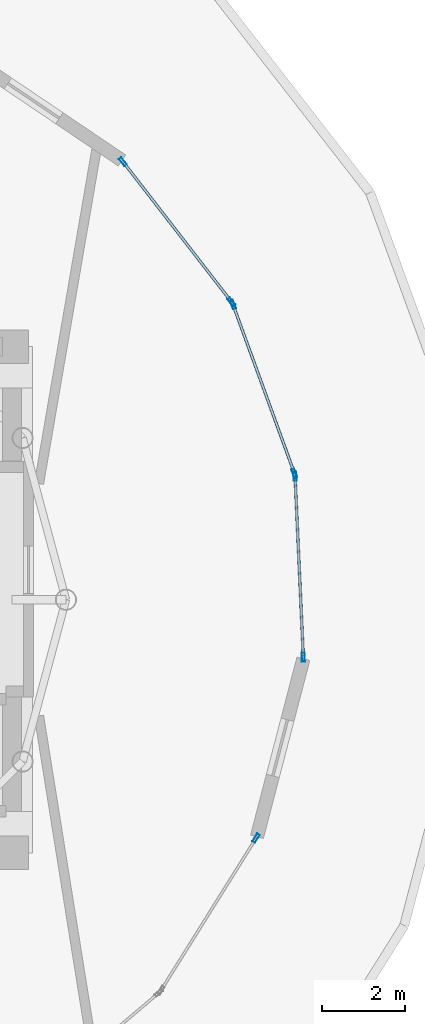
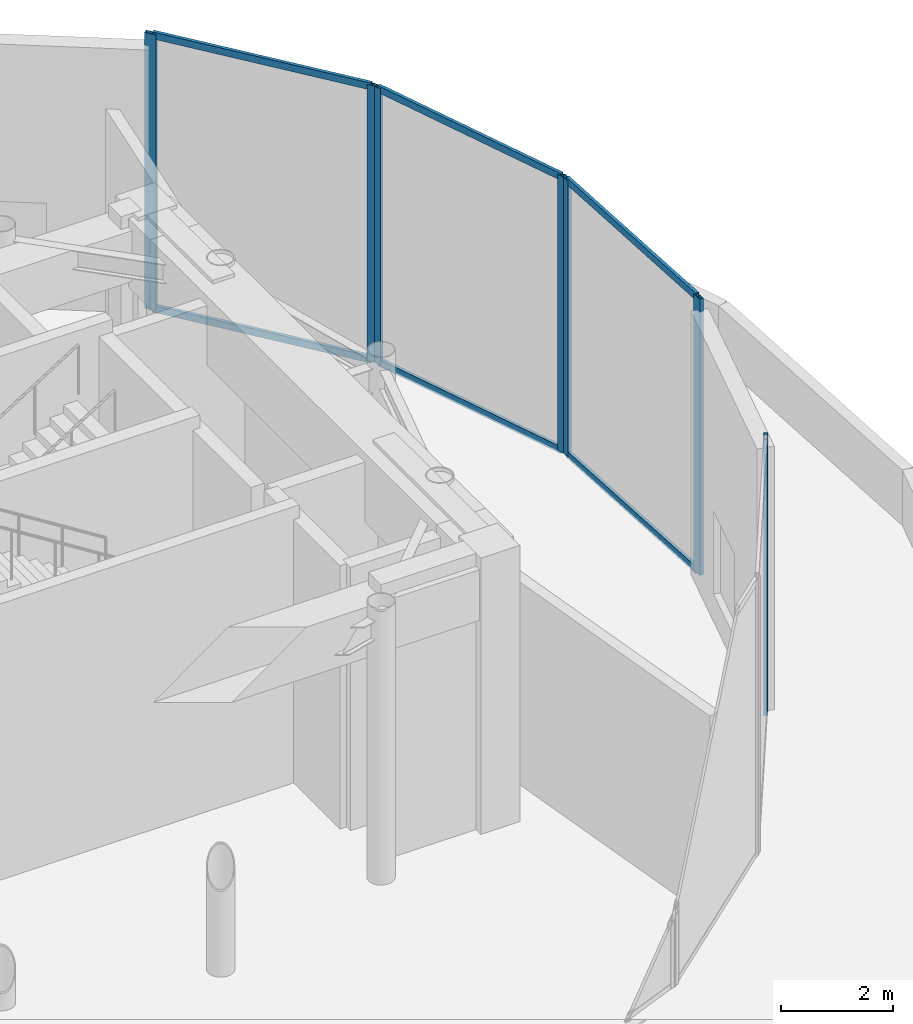
# One storey, part 7 of 12: 13 members, 4 elements without a shape of their own.
"""IFC4 building model written with IfcOpenShell, lengths in metres."""

from ifc_helpers import new_model, si_unit, direction, frame, origin, origin_2d, place, context, subcontext, project, spatial, hollow_rectangle, extrude, source, transform, mapped, material, layer, layer_set, material_profile, profile_set, type_object, element, aggregate, save


model = new_model("IFC4")

# Units and contexts
model_context = context("Model", 3, precision=1e-05, world=origin(), true_north=direction((0.0, 1.0)))
body_context = subcontext(model_context, "Body", "Model", "MODEL_VIEW")
ifc_project = project(units=[si_unit("LENGTHUNIT", "METRE"), si_unit("AREAUNIT", "SQUARE_METRE"), si_unit("VOLUMEUNIT", "CUBIC_METRE"), si_unit("PLANEANGLEUNIT", "RADIAN"), si_unit("MASSUNIT", "GRAM", prefix="KILO")], contexts=[model_context])

# Site, building, storey
site_placement = place(None, origin())
site = spatial("IfcSite", under=ifc_project, at=site_placement, CompositionType="ELEMENT")
building_placement = place(site_placement, origin())
building = spatial("IfcBuilding", under=site, at=building_placement, Name="Solvirekh Grand Hotel", CompositionType="ELEMENT")
storey_placement = place(building_placement, frame((0.0, 0.0, 302.199951171875)))
storey = spatial("IfcBuildingStorey", under=building, at=storey_placement, Name="L78", CompositionType="ELEMENT", Elevation=302.199951171875)

# Curtain wall, member
ifc_material = material(Name="Anodized Bronze Aluminium 6063-T6", Category="aluminium")
ifc_layer = layer(ifc_material, 0.219970703125)
ifc_layer_set = layer_set([ifc_layer], Name="Anodized Bronze Aluminium 6063-T6")
curtain_wall_type = type_object("IfcCurtainWallType", Name="CW_Sys6_CrownFacetedPointCW", PredefinedType="NOTDEFINED", material=ifc_layer_set)
curtain_wall_1_placement = place(storey_placement, origin())
curtain_wall_1 = element("IfcCurtainWall", 1, at=curtain_wall_1_placement, inside=storey, type_object=curtain_wall_type, Name="L78 unitised bronze-glass curtain wall CW-L78-C04", PredefinedType="NOTDEFINED")
ifc_material_profile_1 = material_profile(ifc_material, hollow_rectangle(XDim=0.074951171875, YDim=0.219970703125, WallThickness=0.006103515625, at=origin_2d()), Name="ALU RHS 220X75X6")
ifc_profile_set_1 = profile_set([ifc_material_profile_1], Name="Anodized Bronze Aluminium 6063-T6")
member_type_1 = type_object("IfcMemberType", Name="CWMullion_Sys6", PredefinedType="MULLION", material=ifc_profile_set_1)
shared_shape_1 = source(origin(), body_context, "Body", "SweptSolid", [
    extrude(hollow_rectangle(XDim=0.074951171875, YDim=0.219970703125, WallThickness=0.006103515625, at=origin_2d()), origin(), (0.0, 0.0, 1.0), 6.0),
])
member_1_placement = place(storey_placement, frame((12.385009765625, -5.747802734375, 0.0), z_axis=(0.0, 0.0, 1.0), x_axis=(-0.847934527093, 0.530100969405, 0.0)))
member_1 = element("IfcMember", 2, at=member_1_placement, type_object=member_type_1, Name="U06 mullion 2", PredefinedType="MULLION", context=body_context, shape_type="MappedRepresentation", body=[
    mapped(shared_shape_1, transform((0.0, 0.0, 0.0), x_axis=(1.0, 0.0, 0.0), y_axis=(0.0, 1.0, 0.0), z_axis=(0.0, 0.0, 1.0), scale=1.0)),
])
aggregate(curtain_wall_1, [member_1])

# Curtain wall, members
curtain_wall_2_placement = place(storey_placement, origin())
curtain_wall_2 = element("IfcCurtainWall", 3, at=curtain_wall_2_placement, inside=storey, type_object=curtain_wall_type, Name="L78 unitised bronze-glass curtain wall CW-L78-C06", PredefinedType="NOTDEFINED")
member_2_placement = place(storey_placement, frame((13.523193359375, -1.384521484375, 0.0), z_axis=(0.0, 0.0, 1.0), x_axis=(-0.998953621923, -0.045734683194, 0.0)))
member_2 = element("IfcMember", 4, at=member_2_placement, type_object=member_type_1, Name="U06 mullion 1", PredefinedType="MULLION", context=body_context, shape_type="MappedRepresentation", body=[
    mapped(shared_shape_1, transform((0.0, 0.0, 0.0), x_axis=(1.0, 0.0, 0.0), y_axis=(0.0, 1.0, 0.0), z_axis=(0.0, 0.0, 1.0), scale=1.0)),
])
member_3_placement = place(storey_placement, frame((13.32373046875, 2.974609375, 0.0), z_axis=(0.0, 0.0, 1.0), x_axis=(-0.998953621923, -0.045734683194, 0.0)))
member_3 = element("IfcMember", 5, at=member_3_placement, type_object=member_type_1, Name="U06 mullion 2", PredefinedType="MULLION", context=body_context, shape_type="MappedRepresentation", body=[
    mapped(shared_shape_1, transform((0.0, 0.0, 0.0), x_axis=(1.0, 0.0, 0.0), y_axis=(0.0, 1.0, 0.0), z_axis=(0.0, 0.0, 1.0), scale=1.0)),
])

curtain_wall_3_placement = place(storey_placement, origin())
curtain_wall_3 = element("IfcCurtainWall", 6, at=curtain_wall_3_placement, inside=storey, type_object=curtain_wall_type, Name="L78 unitised bronze-glass curtain wall CW-L78-C07", PredefinedType="NOTDEFINED")
member_4_placement = place(storey_placement, frame((13.30908203125, 3.047119140625, 0.0), z_axis=(0.0, 0.0, 1.0), x_axis=(-0.939654148066, -0.342125827763, 0.0)))
member_4 = element("IfcMember", 7, at=member_4_placement, type_object=member_type_1, Name="U06 mullion 1", PredefinedType="MULLION", context=body_context, shape_type="MappedRepresentation", body=[
    mapped(shared_shape_1, transform((0.0, 0.0, 0.0), x_axis=(1.0, 0.0, 0.0), y_axis=(0.0, 1.0, 0.0), z_axis=(0.0, 0.0, 1.0), scale=1.0)),
])
member_5_placement = place(storey_placement, frame((11.827880859375, 7.11572265625, 0.0), z_axis=(0.0, 0.0, 1.0), x_axis=(-0.939654148066, -0.342125827763, 0.0)))
member_5 = element("IfcMember", 8, at=member_5_placement, type_object=member_type_1, Name="U06 mullion 2", PredefinedType="MULLION", context=body_context, shape_type="MappedRepresentation", body=[
    mapped(shared_shape_1, transform((0.0, 0.0, 0.0), x_axis=(1.0, 0.0, 0.0), y_axis=(0.0, 1.0, 0.0), z_axis=(0.0, 0.0, 1.0), scale=1.0)),
])

curtain_wall_4_placement = place(storey_placement, origin())
curtain_wall_4 = element("IfcCurtainWall", 9, at=curtain_wall_4_placement, inside=storey, type_object=curtain_wall_type, Name="L78 unitised bronze-glass curtain wall CW-L78-C08", PredefinedType="NOTDEFINED")
member_6_placement = place(storey_placement, frame((11.7919921875, 7.1806640625, 0.0), z_axis=(0.0, 0.0, 1.0), x_axis=(-0.790551379762, -0.612395718434, 0.0)))
member_6 = element("IfcMember", 10, at=member_6_placement, type_object=member_type_1, Name="U06 mullion 1", PredefinedType="MULLION", context=body_context, shape_type="MappedRepresentation", body=[
    mapped(shared_shape_1, transform((0.0, 0.0, 0.0), x_axis=(1.0, 0.0, 0.0), y_axis=(0.0, 1.0, 0.0), z_axis=(0.0, 0.0, 1.0), scale=1.0)),
])
member_7_placement = place(storey_placement, frame((9.174072265625, 10.560302734375, 0.0), z_axis=(0.0, 0.0, 1.0), x_axis=(-0.790551379762, -0.612395718434, 0.0)))
member_7 = element("IfcMember", 11, at=member_7_placement, type_object=member_type_1, Name="U06 mullion 2", PredefinedType="MULLION", context=body_context, shape_type="MappedRepresentation", body=[
    mapped(shared_shape_1, transform((0.0, 0.0, 0.0), x_axis=(1.0, 0.0, 0.0), y_axis=(0.0, 1.0, 0.0), z_axis=(0.0, 0.0, 1.0), scale=1.0)),
])

# Member
ifc_material_profile_2 = material_profile(ifc_material, hollow_rectangle(XDim=0.06494140625, YDim=0.14990234375, WallThickness=0.0048828125, at=origin_2d()), Name="ALU RHS 150X65X5")
ifc_profile_set_2 = profile_set([ifc_material_profile_2], Name="Anodized Bronze Aluminium 6063-T6")
member_type_2 = type_object("IfcMemberType", Name="CWTransom_Sys6", PredefinedType="USERDEFINED", material=ifc_profile_set_2)
shared_shape_2 = source(origin(), body_context, "Body", "SweptSolid", [
    extrude(hollow_rectangle(XDim=0.06494140625, YDim=0.14990234375, WallThickness=0.0048828125, at=origin_2d()), origin(), (0.0, 0.0, 1.0), 4.2548828125),
])
member_8_placement = place(storey_placement, frame((13.29638671875, 3.08251953125, 0.032470703125), z_axis=(-0.342153062556, 0.939644231496, 0.0), x_axis=(-0.939644231496, -0.342153062556, 0.0)))
member_8 = element("IfcMember", 12, at=member_8_placement, type_object=member_type_2, Name="U06 transom 1.1", ObjectType="TRANSOM", PredefinedType="USERDEFINED", context=body_context, shape_type="MappedRepresentation", body=[
    mapped(shared_shape_2, transform((0.0, 0.0, 0.0), x_axis=(1.0, 0.0, 0.0), y_axis=(0.0, 1.0, 0.0), z_axis=(0.0, 0.0, 1.0), scale=1.0)),
])

member_9_placement = place(storey_placement, frame((13.29638671875, 3.08251953125, 5.967529296875), z_axis=(-0.342153062556, 0.939644231496, 0.0), x_axis=(-0.939644231496, -0.342153062556, 0.0)))
member_9 = element("IfcMember", 13, at=member_9_placement, type_object=member_type_2, Name="U06 transom 1.2", ObjectType="TRANSOM", PredefinedType="USERDEFINED", context=body_context, shape_type="MappedRepresentation", body=[
    mapped(shared_shape_2, transform((0.0, 0.0, 0.0), x_axis=(1.0, 0.0, 0.0), y_axis=(0.0, 1.0, 0.0), z_axis=(0.0, 0.0, 1.0), scale=1.0)),
])

aggregate(curtain_wall_3, [member_4, member_5, member_8, member_9])

shared_shape_3 = source(origin(), body_context, "Body", "SweptSolid", [
    extrude(hollow_rectangle(XDim=0.06494140625, YDim=0.14990234375, WallThickness=0.0048828125, at=origin_2d()), origin(), (0.0, 0.0, 1.0), 4.28857421875),
])
member_10_placement = place(storey_placement, frame((13.521484375, -1.34716796875, 0.032470703125), z_axis=(-0.045712364868, 0.998954643464, 0.0), x_axis=(-0.998954643464, -0.045712364868, 0.0)))
member_10 = element("IfcMember", 14, at=member_10_placement, type_object=member_type_2, Name="U06 transom 1.1", ObjectType="TRANSOM", PredefinedType="USERDEFINED", context=body_context, shape_type="MappedRepresentation", body=[
    mapped(shared_shape_3, transform((0.0, 0.0, 0.0), x_axis=(1.0, 0.0, 0.0), y_axis=(0.0, 1.0, 0.0), z_axis=(0.0, 0.0, 1.0), scale=1.0)),
])

member_11_placement = place(storey_placement, frame((13.521484375, -1.34716796875, 5.967529296875), z_axis=(-0.045712364868, 0.998954643464, 0.0), x_axis=(-0.998954643464, -0.045712364868, 0.0)))
member_11 = element("IfcMember", 15, at=member_11_placement, type_object=member_type_2, Name="U06 transom 1.2", ObjectType="TRANSOM", PredefinedType="USERDEFINED", context=body_context, shape_type="MappedRepresentation", body=[
    mapped(shared_shape_3, transform((0.0, 0.0, 0.0), x_axis=(1.0, 0.0, 0.0), y_axis=(0.0, 1.0, 0.0), z_axis=(0.0, 0.0, 1.0), scale=1.0)),
])

aggregate(curtain_wall_2, [member_2, member_3, member_10, member_11])

shared_shape_4 = source(origin(), body_context, "Body", "SweptSolid", [
    extrude(hollow_rectangle(XDim=0.06494140625, YDim=0.14990234375, WallThickness=0.0048828125, at=origin_2d()), origin(), (0.0, 0.0, 1.0), 4.2001953125),
])
member_12_placement = place(storey_placement, frame((11.76904296875, 7.210205078125, 0.032470703125), z_axis=(-0.612361925717, 0.790577555925, 0.0), x_axis=(-0.790577555925, -0.612361925717, 0.0)))
member_12 = element("IfcMember", 16, at=member_12_placement, type_object=member_type_2, Name="U06 transom 1.1", ObjectType="TRANSOM", PredefinedType="USERDEFINED", context=body_context, shape_type="MappedRepresentation", body=[
    mapped(shared_shape_4, transform((0.0, 0.0, 0.0), x_axis=(1.0, 0.0, 0.0), y_axis=(0.0, 1.0, 0.0), z_axis=(0.0, 0.0, 1.0), scale=1.0)),
])

member_13_placement = place(storey_placement, frame((11.76904296875, 7.210205078125, 5.967529296875), z_axis=(-0.612361925717, 0.790577555925, 0.0), x_axis=(-0.790577555925, -0.612361925717, 0.0)))
member_13 = element("IfcMember", 17, at=member_13_placement, type_object=member_type_2, Name="U06 transom 1.2", ObjectType="TRANSOM", PredefinedType="USERDEFINED", context=body_context, shape_type="MappedRepresentation", body=[
    mapped(shared_shape_4, transform((0.0, 0.0, 0.0), x_axis=(1.0, 0.0, 0.0), y_axis=(0.0, 1.0, 0.0), z_axis=(0.0, 0.0, 1.0), scale=1.0)),
])

aggregate(curtain_wall_4, [member_6, member_7, member_12, member_13])

save(model, "model.ifc")
